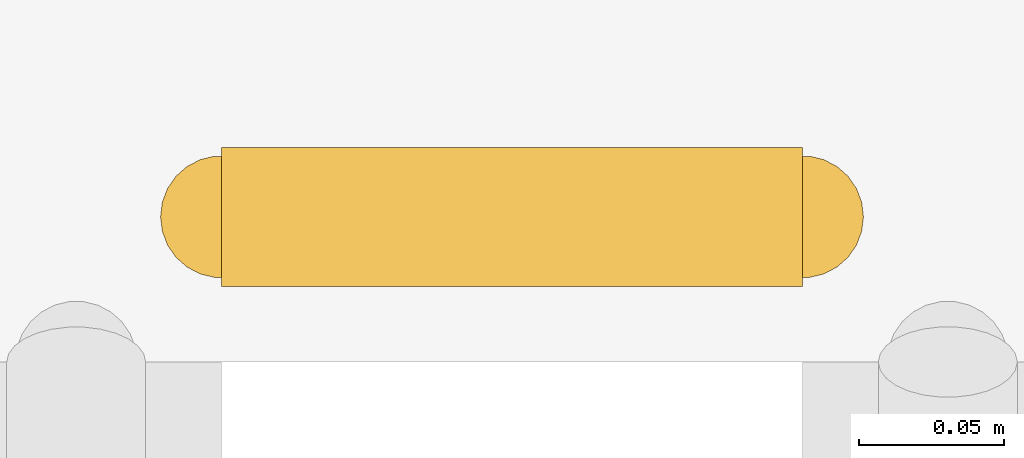
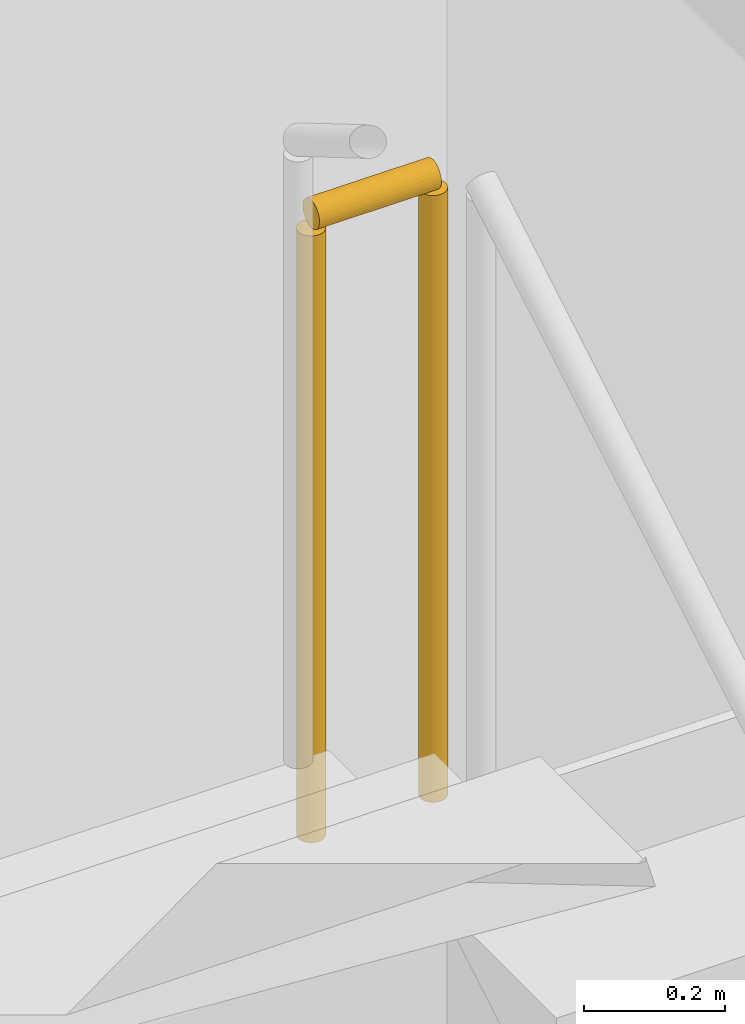
# One storey, part 181 of 191: 1 railing.
"""IFC4 building model written with IfcOpenShell, lengths in metres."""

from ifc_helpers import new_model, si_unit, direction, frame, origin, origin_2d, place, context, subcontext, project, spatial, circle, extrude, material, type_object, element, save


model = new_model("IFC4")

# Units and contexts
model_context = context("Model", 3, precision=1e-05, world=origin(), true_north=direction((0.0, 1.0)))
body_context = subcontext(model_context, "Body", "Model", "MODEL_VIEW")
ifc_project = project(units=[si_unit("LENGTHUNIT", "METRE"), si_unit("AREAUNIT", "SQUARE_METRE"), si_unit("VOLUMEUNIT", "CUBIC_METRE"), si_unit("PLANEANGLEUNIT", "RADIAN"), si_unit("MASSUNIT", "GRAM", prefix="KILO")], contexts=[model_context])

# Site, building, storey
site_placement = place(None, origin())
site = spatial("IfcSite", under=ifc_project, at=site_placement, CompositionType="ELEMENT")
building_placement = place(site_placement, origin())
building = spatial("IfcBuilding", under=site, at=building_placement, Name="Tamarisk Ironworks Central Station", CompositionType="ELEMENT")
storey_placement = place(building_placement, frame((0.0, 0.0, 6.60009765625)))
storey = spatial("IfcBuildingStorey", under=building, at=storey_placement, Name="L01", CompositionType="ELEMENT", Elevation=6.60009765625)

# Railing
ifc_material = material(Name="Brushed stainless steel AISI 316", Category="steel")
railing_type = type_object("IfcRailingType", Name="RL-GUARD-INT", PredefinedType="BALUSTRADE", material=ifc_material)
railing_placement = place(storey_placement, frame((13.949951171875, 98.550048828125, 3.0)))
element("IfcRailing", 1, at=railing_placement, inside=storey, type_object=railing_type, Name="L01 ST-C6 stair guard 2", PredefinedType="BALUSTRADE", context=body_context, shape_type="SweptSolid", body=[
    extrude(circle(Radius=0.02392578125, at=origin_2d()), frame((0.0, 0.0, 1.076171875), z_axis=(-1.0, 0.0, 0.0), x_axis=(0.0, -1.0, 0.0)), (0.0, 0.0, 1.0), 0.199951171875),
    extrude(circle(Radius=0.02099609375, at=origin_2d()), origin(), (0.0, 0.0, 1.0), 1.052001953125),
    extrude(circle(Radius=0.02099609375, at=origin_2d()), frame((-0.199951171875, 0.0, 0.0)), (0.0, 0.0, 1.0), 1.052001953125),
])

save(model, "model.ifc")
